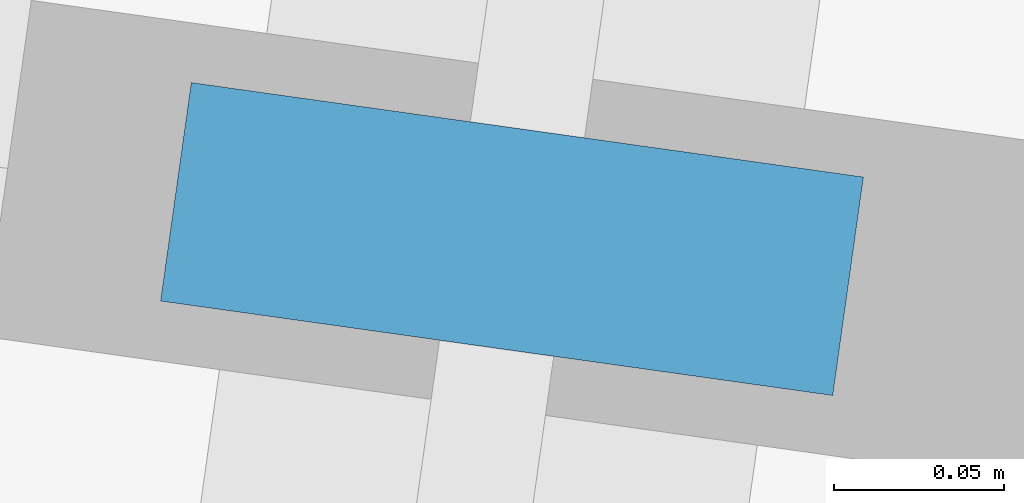
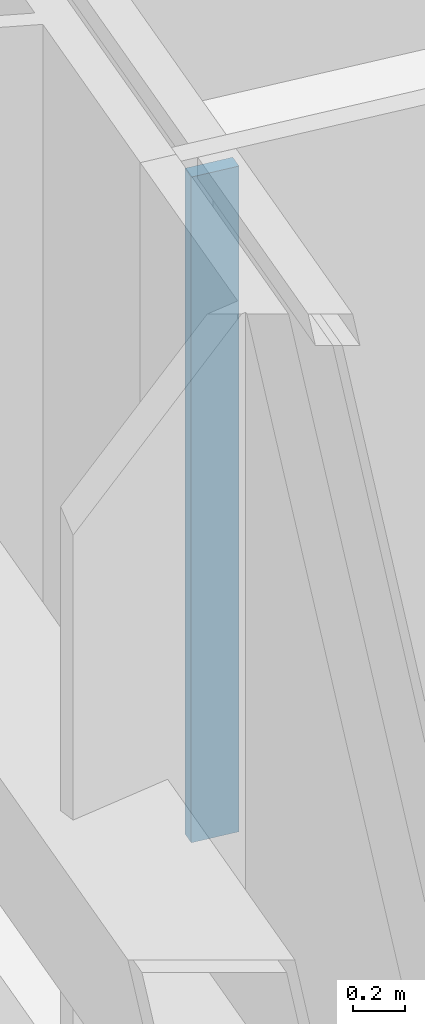
# One storey, part 4 of 25: 1 member, 1 element without a shape of its own.
"""IFC4 building model written with IfcOpenShell, lengths in metres."""

import ifcopenshell
import ifcopenshell.guid

model = None  # the IFC model being written
_history = None  # IfcOwnerHistory: only IFC2X3 demands one
_inside = {}  # id of a spatial element -> (the spatial element, [elements in it])
_under = {}  # id of a project, library or spatial element -> (it, [spatial elements below it])
_declared = {}  # id of a project -> (the project, [libraries it declares])
_typed = {}  # id of a type object -> (the type object, [elements of that type])
_made_of = {}  # id of a material, layer set ... -> (it, [elements and type objects made of it])


def new_model(schema):
    """Start an empty IFC model of exactly this schema.

    Asked for "IFC4X3", IfcOpenShell would pick the latest addendum, in which some entities
    have other attributes; the version numbers below select the first issue.
    IFC2X3 requires an IfcOwnerHistory on every rooted entity: one is made here for all.
    """
    global model, _history
    if schema == "IFC4X3":
        model = ifcopenshell.file(schema_version=(4, 3, 0, 0))
    else:
        model = ifcopenshell.file(schema=schema)
    _inside.clear()
    _under.clear()
    _declared.clear()
    _typed.clear()
    _made_of.clear()
    _history = None
    if model.schema == "IFC2X3":
        org = make("IfcOrganization", Name="unknown")
        user = make(
            "IfcPersonAndOrganization",
            ThePerson=make("IfcPerson", FamilyName="unknown"),
            TheOrganization=org,
        )
        app = make(
            "IfcApplication",
            ApplicationDeveloper=org,
            Version="unknown",
            ApplicationFullName="unknown",
            ApplicationIdentifier="unknown",
        )
        _history = make(
            "IfcOwnerHistory",
            OwningUser=user,
            OwningApplication=app,
            ChangeAction="ADDED",
            CreationDate=0,
        )
    return model


def make(cls, **values):
    """One entity of the class cls with the attributes given. An attribute that is None is left unset."""
    return model.create_entity(
        cls, **{name: value for name, value in values.items() if value is not None}
    )


def rooted(cls, **values):
    """An entity with a GlobalId (a new one), such as an element, a storey or a relation."""
    return make(cls, GlobalId=ifcopenshell.guid.new(), OwnerHistory=_history, **values)


def si_unit(unit_type, name, prefix=None):
    """IfcSIUnit, for example si_unit("LENGTHUNIT", "METRE", prefix="MILLI")."""
    return make("IfcSIUnit", UnitType=unit_type, Prefix=prefix, Name=name)


def assignment(units):
    """IfcUnitAssignment: the units of a project."""
    return None if units is None else make("IfcUnitAssignment", Units=units)


def point(xyz):
    """IfcCartesianPoint."""
    return None if xyz is None else make("IfcCartesianPoint", Coordinates=xyz)


def direction(xyz):
    """IfcDirection."""
    return None if xyz is None else make("IfcDirection", DirectionRatios=xyz)


def frame(location, z_axis=None, x_axis=None):
    """IfcAxis2Placement3D, a coordinate frame: its origin and axes. An axis left out is left unset."""
    return make(
        "IfcAxis2Placement3D",
        Location=point(location),
        Axis=direction(z_axis),
        RefDirection=direction(x_axis),
    )


def frame_2d(location, x_axis=None):
    """IfcAxis2Placement2D, a coordinate frame in the plane: its origin and x axis."""
    return make(
        "IfcAxis2Placement2D", Location=point(location), RefDirection=direction(x_axis)
    )


def origin():
    """The frame at (0, 0, 0) with its axes left unset."""
    return frame((0.0, 0.0, 0.0))


def origin_2d():
    """The frame at (0, 0) in the plane with its x axis left unset."""
    return frame_2d((0.0, 0.0))


def place(relative_to, where):
    """IfcLocalPlacement: puts the frame where relative to a parent placement (None: the world)."""
    return make(
        "IfcLocalPlacement", PlacementRelTo=relative_to, RelativePlacement=where
    )


def context(
    kind, dimensions, precision=None, world=None, true_north=None, identifier=None
):
    """IfcGeometricRepresentationContext, for example the 3D "Model" context."""
    return make(
        "IfcGeometricRepresentationContext",
        ContextIdentifier=identifier,
        ContextType=kind,
        CoordinateSpaceDimension=dimensions,
        Precision=precision,
        WorldCoordinateSystem=world,
        TrueNorth=true_north,
    )


def subcontext(parent, identifier, kind, view, scale=None):
    """IfcGeometricRepresentationSubContext, for example "Body" below "Model"."""
    return make(
        "IfcGeometricRepresentationSubContext",
        ContextIdentifier=identifier,
        ContextType=kind,
        ParentContext=parent,
        TargetScale=scale,
        TargetView=view,
    )


def project(units=None, contexts=None):
    """IfcProject with its units and contexts."""
    return rooted(
        "IfcProject",
        Name="project",
        RepresentationContexts=contexts,
        UnitsInContext=assignment(units),
    )


def spatial(cls, under=None, at=None, **own):
    """A site, building, storey or space (cls), placed at a placement, below another one or the project."""
    s = rooted(cls, ObjectPlacement=at, **own)
    if under is not None:
        _under.setdefault(under.id(), (under, []))[1].append(s)
    return s


def profile(cls, at=None, kind="AREA", **sizes):
    """A parametric profile (cls). Its sizes go by their IFC names, for example OverallWidth=200.0."""
    return make(cls, ProfileType=kind, Position=at, **sizes)


def rectangle(**sizes):
    """IfcRectangleProfileDef."""
    return profile("IfcRectangleProfileDef", **sizes)


def extrude(swept, where, along, depth):
    """IfcExtrudedAreaSolid: the profile swept, set in the frame where, extruded along a direction by depth."""
    return make(
        "IfcExtrudedAreaSolid",
        SweptArea=swept,
        Position=where,
        ExtrudedDirection=direction(along),
        Depth=depth,
    )


def shape(context_of_items, identifier, shape_type, items):
    """IfcShapeRepresentation: the items that make up one representation, for example the "Body"."""
    return make(
        "IfcShapeRepresentation",
        ContextOfItems=context_of_items,
        RepresentationIdentifier=identifier,
        RepresentationType=shape_type,
        Items=items,
    )


def material(Name=None, Category=None):
    """IfcMaterial."""
    return make("IfcMaterial", Name=Name, Category=Category)


def material_profile(
    of_material, cross_section, Name=None, Category=None, Priority=None
):
    """IfcMaterialProfile: a cross section and its material."""
    return make(
        "IfcMaterialProfile",
        Name=Name,
        Material=of_material,
        Profile=cross_section,
        Priority=Priority,
        Category=Category,
    )


def profile_set(profiles, Name=None, composite=None):
    """IfcMaterialProfileSet."""
    return make(
        "IfcMaterialProfileSet",
        Name=Name,
        MaterialProfiles=profiles,
        CompositeProfile=composite,
    )


def made_of(thing, what):
    """Note that an element or type object is made of a material, layer set ...; save() writes the relation."""
    if what is not None:
        _made_of.setdefault(what.id(), (what, []))[1].append(thing)
    return thing


def type_object(cls, material=None, **own):
    """A type object (cls), such as IfcWallType, which elements share."""
    return made_of(rooted(cls, **own), material)


def element(
    cls,
    number,
    at=None,
    inside=None,
    cuts=None,
    type_object=None,
    material=None,
    context=None,
    identifier="Body",
    shape_type=None,
    held_by="IfcProductDefinitionShape",
    body=None,
    shapes=None,
    **own,
):
    """One element of the class cls, such as IfcWall. Its Tag is "e" and its number.

    at: its placement. inside: the storey or other place that contains it. cuts: it is an
    opening in that element (IfcRelVoidsElement). A single representation is given by context,
    identifier, shape_type and body (its items); several are given by shapes. held_by: the class
    of the entity that holds the representations. save() writes the other relations.
    """
    e = rooted(cls, Tag="e%d" % number, ObjectPlacement=at, **own)
    if body is not None:
        shapes = [shape(context, identifier, shape_type, body)]
    if shapes is not None:
        e.Representation = make(held_by, Representations=shapes)
    if inside is not None:
        _inside.setdefault(inside.id(), (inside, []))[1].append(e)
    if cuts is not None:
        rooted(
            "IfcRelVoidsElement", RelatingBuildingElement=cuts, RelatedOpeningElement=e
        )
    if type_object is not None:
        _typed.setdefault(type_object.id(), (type_object, []))[1].append(e)
    return made_of(e, material)


def aggregate(whole, parts):
    """IfcRelAggregates: a whole, such as a stair, and the parts it consists of."""
    return rooted("IfcRelAggregates", RelatingObject=whole, RelatedObjects=parts)


def save(model, path):
    """Write the relations noted so far, then the file.

    IfcRelAggregates (storeys below a building ...), IfcRelContainedInSpatialStructure (elements
    in a storey), IfcRelDefinesByType, IfcRelAssociatesMaterial and IfcRelDeclares: one each for
    every whole, place, type object, material and project.
    """
    for whole, parts in _under.values():
        aggregate(whole, parts)
    for where, things in _inside.values():
        rooted(
            "IfcRelContainedInSpatialStructure",
            RelatedElements=things,
            RelatingStructure=where,
        )
    for kind, things in _typed.values():
        rooted("IfcRelDefinesByType", RelatedObjects=things, RelatingType=kind)
    for what, things in _made_of.values():
        rooted("IfcRelAssociatesMaterial", RelatedObjects=things, RelatingMaterial=what)
    for by, libraries in _declared.values():
        rooted("IfcRelDeclares", RelatingContext=by, RelatedDefinitions=libraries)
    model.write(path)


model = new_model("IFC4")

# Units and contexts
model_context = context("Model", 3, precision=1e-05, world=origin(), true_north=direction((0.0, 1.0)))
body_context = subcontext(model_context, "Body", "Model", "MODEL_VIEW")
ifc_project = project(units=[si_unit("LENGTHUNIT", "METRE"), si_unit("AREAUNIT", "SQUARE_METRE"), si_unit("VOLUMEUNIT", "CUBIC_METRE"), si_unit("PLANEANGLEUNIT", "RADIAN"), si_unit("MASSUNIT", "GRAM", prefix="KILO")], contexts=[model_context])

# Site, building, storey
site_placement = place(None, origin())
site = spatial("IfcSite", under=ifc_project, at=site_placement, CompositionType="ELEMENT")
building_placement = place(site_placement, origin())
building = spatial("IfcBuilding", under=site, at=building_placement, Name="Mirante Cascada Hotel Towers", CompositionType="ELEMENT")
storey_placement = place(building_placement, frame((0.0, 0.0, 247.0)))
storey = spatial("IfcBuildingStorey", under=building, at=storey_placement, Name="L59", CompositionType="ELEMENT", Elevation=247.0)

# Curtain wall, member
ifc_material_1 = material(Name="Aluminium mullion and transom frame with clear laminated glass", Category="aluminium")
curtain_wall_type = type_object("IfcCurtainWallType", Name="End ribbon curtain wall ECW2", PredefinedType="NOTDEFINED", material=ifc_material_1)
curtain_wall_placement = place(storey_placement, origin())
curtain_wall = element("IfcCurtainWall", 1, at=curtain_wall_placement, inside=storey, type_object=curtain_wall_type, Name="Outer end wall T1 L59", PredefinedType="NOTDEFINED")
ifc_material_2 = material(Name="Anodised aluminium extrusion", Category="aluminium")
ifc_material_profile = material_profile(ifc_material_2, rectangle(XDim=0.2, YDim=0.065, at=origin_2d()), Name="ECW2 MULLION 65x200")
ifc_profile_set = profile_set([ifc_material_profile], Name="Anodised aluminium extrusion")
member_type = type_object("IfcMemberType", Name="ECW2 mullion 65x200", PredefinedType="MULLION", material=ifc_profile_set)
member_placement = place(storey_placement, frame((-65.5011, 2.9894, 0.1), z_axis=(0.0, 0.0, 1.0), x_axis=(-0.9902681, 0.1391731, 0.0)))
member = element("IfcMember", 2, at=member_placement, type_object=member_type, Name="ECW2 mullion 4", PredefinedType="MULLION", context=body_context, shape_type="SweptSolid", body=[
    extrude(rectangle(XDim=0.2, YDim=0.065, at=origin_2d()), origin(), (0.0, 0.0, 1.0), 3.15),
])
aggregate(curtain_wall, [member])

save(model, "model.ifc")
